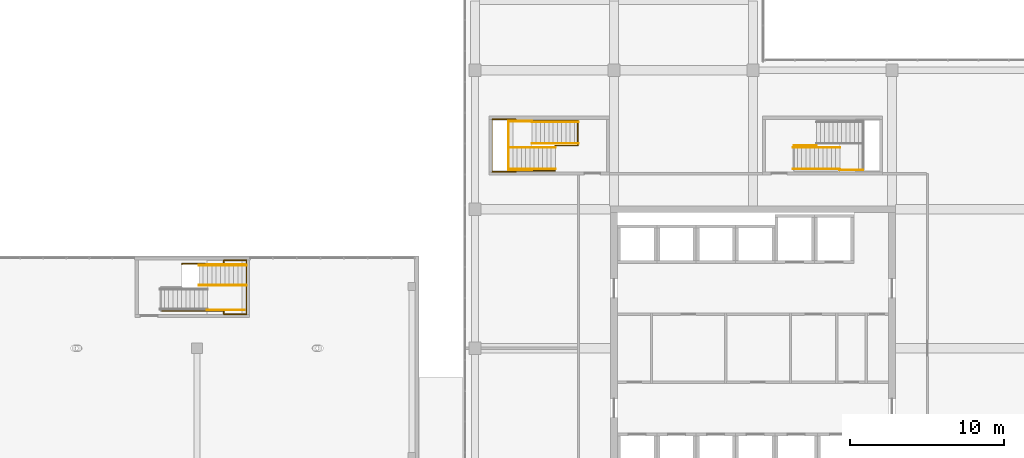
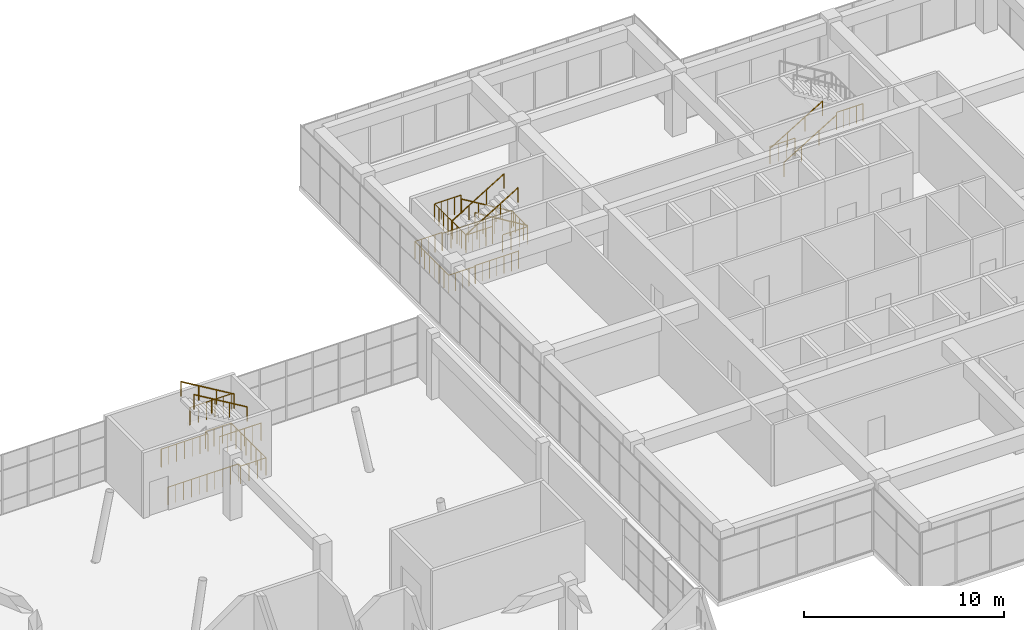
# One storey, part 65 of 66: 18 railings.
"""IFC4 building model written with IfcOpenShell, lengths in metres."""

from ifc_helpers import new_model, si_unit, direction, frame, origin, origin_2d, place, context, subcontext, project, spatial, circle, extrude, material, type_object, element, save


model = new_model("IFC4")

# Units and contexts
model_context = context("Model", 3, precision=1e-05, world=origin(), true_north=direction((0.0, 1.0)))
body_context = subcontext(model_context, "Body", "Model", "MODEL_VIEW")
ifc_project = project(units=[si_unit("LENGTHUNIT", "METRE"), si_unit("AREAUNIT", "SQUARE_METRE"), si_unit("VOLUMEUNIT", "CUBIC_METRE"), si_unit("PLANEANGLEUNIT", "RADIAN"), si_unit("MASSUNIT", "GRAM", prefix="KILO")], contexts=[model_context])

# Site, building, storey
site_placement = place(None, origin())
site = spatial("IfcSite", under=ifc_project, at=site_placement, CompositionType="ELEMENT")
building_placement = place(site_placement, origin())
building = spatial("IfcBuilding", under=site, at=building_placement, Name="Tuart Plaza Theatre", CompositionType="ELEMENT")
storey_placement = place(building_placement, frame((0.0, 0.0, 5.5)))
storey = spatial("IfcBuildingStorey", under=building, at=storey_placement, Name="L01", CompositionType="ELEMENT", Elevation=5.5)

# Railings
ifc_material_1 = material(Name="Steel Grade C350L0", Category="steel")
railing_type_1 = type_object("IfcRailingType", Name="RAILING Guard 1100", PredefinedType="GUARDRAIL", material=ifc_material_1)
railing_1_placement = place(storey_placement, frame((95.02001953125, 79.429931640625, 0.0)))
element("IfcRailing", 1, at=railing_1_placement, inside=storey, type_object=railing_type_1, Name="GR132", PredefinedType="GUARDRAIL", context=body_context, shape_type="SweptSolid", body=[
    extrude(circle(Radius=0.02490234375, at=origin_2d()), frame((0.0, 0.0, 1.0751953125), z_axis=(0.0, 1.0, 0.0), x_axis=(-1.0, 0.0, 0.0)), (0.0, 0.0, 1.0), 0.045166015625),
    extrude(circle(Radius=0.02490234375, at=origin_2d()), frame((0.0, 0.045166015625, 1.0751953125), z_axis=(1.0, 0.0, 0.0), x_axis=(0.0, 1.0, 0.0)), (0.0, 0.0, 1.0), 2.7099609375),
    extrude(circle(Radius=0.02490234375, at=origin_2d()), frame((2.7099609375, 0.045166015625, 1.0751953125), z_axis=(0.0, 1.0, 0.0), x_axis=(-1.0, 0.0, 0.0)), (0.0, 0.0, 1.0), 0.224853515625),
    extrude(circle(Radius=0.02490234375, at=origin_2d()), frame((2.7099609375, 0.27001953125, 1.0751953125), z_axis=(1.0, 0.0, 0.0), x_axis=(0.0, 1.0, 0.0)), (0.0, 0.0, 1.0), 1.469970703125),
    extrude(circle(Radius=0.02490234375, at=origin_2d()), frame((4.179931640625, 0.27001953125, 1.0751953125), z_axis=(0.0, -1.0, 0.0), x_axis=(1.0, 0.0, 0.0)), (0.0, 0.0, 1.0), 3.5),
    extrude(circle(Radius=0.02490234375, at=origin_2d()), frame((4.179931640625, -3.22998046875, 1.0751953125), z_axis=(-1.0, 0.0, 0.0), x_axis=(0.0, -1.0, 0.0)), (0.0, 0.0, 1.0), 1.469970703125),
    extrude(circle(Radius=0.02490234375, at=origin_2d()), frame((2.7099609375, -3.22998046875, 1.0751953125), z_axis=(0.0, 1.0, 0.0), x_axis=(-1.0, 0.0, 0.0)), (0.0, 0.0, 1.0), 0.22509765625),
    extrude(circle(Radius=0.02490234375, at=origin_2d()), frame((2.7099609375, -3.0048828125, 1.0751953125), z_axis=(-1.0, 0.0, 0.0), x_axis=(0.0, -1.0, 0.0)), (0.0, 0.0, 1.0), 4.070068359375),
    extrude(circle(Radius=0.02001953125, at=origin_2d()), origin(), (0.0, 0.0, 1.0), 1.050048828125),
    extrude(circle(Radius=0.02001953125, at=origin_2d()), frame((0.0, 0.045166015625, 0.0)), (0.0, 0.0, 1.0), 1.050048828125),
    extrude(circle(Radius=0.02001953125, at=origin_2d()), frame((0.45166015625, 0.045166015625, 0.0)), (0.0, 0.0, 1.0), 1.050048828125),
    extrude(circle(Radius=0.02001953125, at=origin_2d()), frame((0.9033203125, 0.045166015625, 0.0)), (0.0, 0.0, 1.0), 1.050048828125),
    extrude(circle(Radius=0.02001953125, at=origin_2d()), frame((1.35498046875, 0.045166015625, 0.0)), (0.0, 0.0, 1.0), 1.050048828125),
    extrude(circle(Radius=0.02001953125, at=origin_2d()), frame((1.806640625, 0.045166015625, 0.0)), (0.0, 0.0, 1.0), 1.050048828125),
    extrude(circle(Radius=0.02001953125, at=origin_2d()), frame((2.25830078125, 0.045166015625, 0.0)), (0.0, 0.0, 1.0), 1.050048828125),
    extrude(circle(Radius=0.02001953125, at=origin_2d()), frame((2.7099609375, 0.045166015625, 0.0)), (0.0, 0.0, 1.0), 1.050048828125),
    extrude(circle(Radius=0.02001953125, at=origin_2d()), frame((2.7099609375, 0.27001953125, 0.0)), (0.0, 0.0, 1.0), 1.050048828125),
    extrude(circle(Radius=0.02001953125, at=origin_2d()), frame((3.199951171875, 0.27001953125, 0.0)), (0.0, 0.0, 1.0), 1.050048828125),
    extrude(circle(Radius=0.02001953125, at=origin_2d()), frame((3.68994140625, 0.27001953125, 0.0)), (0.0, 0.0, 1.0), 1.050048828125),
    extrude(circle(Radius=0.02001953125, at=origin_2d()), frame((4.179931640625, 0.27001953125, 0.0)), (0.0, 0.0, 1.0), 1.050048828125),
    extrude(circle(Radius=0.02001953125, at=origin_2d()), frame((4.179931640625, -0.22998046875, 0.0)), (0.0, 0.0, 1.0), 1.050048828125),
    extrude(circle(Radius=0.02001953125, at=origin_2d()), frame((4.179931640625, -0.72998046875, 0.0)), (0.0, 0.0, 1.0), 1.050048828125),
    extrude(circle(Radius=0.02001953125, at=origin_2d()), frame((4.179931640625, -1.22998046875, 0.0)), (0.0, 0.0, 1.0), 1.050048828125),
    extrude(circle(Radius=0.02001953125, at=origin_2d()), frame((4.179931640625, -1.72998046875, 0.0)), (0.0, 0.0, 1.0), 1.050048828125),
    extrude(circle(Radius=0.02001953125, at=origin_2d()), frame((4.179931640625, -2.22998046875, 0.0)), (0.0, 0.0, 1.0), 1.050048828125),
    extrude(circle(Radius=0.02001953125, at=origin_2d()), frame((4.179931640625, -2.72998046875, 0.0)), (0.0, 0.0, 1.0), 1.050048828125),
    extrude(circle(Radius=0.02001953125, at=origin_2d()), frame((4.179931640625, -3.22998046875, 0.0)), (0.0, 0.0, 1.0), 1.050048828125),
    extrude(circle(Radius=0.02001953125, at=origin_2d()), frame((3.68994140625, -3.22998046875, 0.0)), (0.0, 0.0, 1.0), 1.050048828125),
    extrude(circle(Radius=0.02001953125, at=origin_2d()), frame((3.199951171875, -3.22998046875, 0.0)), (0.0, 0.0, 1.0), 1.050048828125),
    extrude(circle(Radius=0.02001953125, at=origin_2d()), frame((2.7099609375, -3.22998046875, 0.0)), (0.0, 0.0, 1.0), 1.050048828125),
    extrude(circle(Radius=0.02001953125, at=origin_2d()), frame((2.7099609375, -3.0048828125, 0.0)), (0.0, 0.0, 1.0), 1.050048828125),
    extrude(circle(Radius=0.02001953125, at=origin_2d()), frame((2.2578125, -3.0048828125, 0.0)), (0.0, 0.0, 1.0), 1.050048828125),
    extrude(circle(Radius=0.02001953125, at=origin_2d()), frame((1.805419921875, -3.0048828125, 0.0)), (0.0, 0.0, 1.0), 1.050048828125),
    extrude(circle(Radius=0.02001953125, at=origin_2d()), frame((1.353271484375, -3.0048828125, 0.0)), (0.0, 0.0, 1.0), 1.050048828125),
    extrude(circle(Radius=0.02001953125, at=origin_2d()), frame((0.901123046875, -3.0048828125, 0.0)), (0.0, 0.0, 1.0), 1.050048828125),
    extrude(circle(Radius=0.02001953125, at=origin_2d()), frame((0.44873046875, -3.0048828125, 0.0)), (0.0, 0.0, 1.0), 1.050048828125),
    extrude(circle(Radius=0.02001953125, at=origin_2d()), frame((-0.00341796875, -3.0048828125, 0.0)), (0.0, 0.0, 1.0), 1.050048828125),
    extrude(circle(Radius=0.02001953125, at=origin_2d()), frame((-0.45556640625, -3.0048828125, 0.0)), (0.0, 0.0, 1.0), 1.050048828125),
    extrude(circle(Radius=0.02001953125, at=origin_2d()), frame((-0.907958984375, -3.0048828125, 0.0)), (0.0, 0.0, 1.0), 1.050048828125),
    extrude(circle(Radius=0.02001953125, at=origin_2d()), frame((-1.360107421875, -3.0048828125, 0.0)), (0.0, 0.0, 1.0), 1.050048828125),
])
railing_2_placement = place(storey_placement, frame((96.659912109375, 76.47509765625, 2.0)))
element("IfcRailing", 2, at=railing_2_placement, inside=storey, type_object=railing_type_1, Name="GR137", PredefinedType="GUARDRAIL", context=body_context, shape_type="SweptSolid", body=[
    extrude(circle(Radius=0.02490234375, at=origin_2d()), frame((0.0, 0.0, 1.0751953125), z_axis=(1.0, 0.0, 0.0), x_axis=(0.0, 1.0, 0.0)), (0.0, 0.0, 1.0), 2.420166015625),
    extrude(circle(Radius=0.02001953125, at=origin_2d()), origin(), (0.0, 0.0, 1.0), 1.050048828125),
    extrude(circle(Radius=0.02001953125, at=origin_2d()), frame((0.484130859375, 0.0, 0.0)), (0.0, 0.0, 1.0), 1.050048828125),
    extrude(circle(Radius=0.02001953125, at=origin_2d()), frame((0.968017578125, 0.0, 0.0)), (0.0, 0.0, 1.0), 1.050048828125),
    extrude(circle(Radius=0.02001953125, at=origin_2d()), frame((1.4521484375, 0.0, 0.0)), (0.0, 0.0, 1.0), 1.050048828125),
    extrude(circle(Radius=0.02001953125, at=origin_2d()), frame((1.93603515625, 0.0, 0.0)), (0.0, 0.0, 1.0), 1.050048828125),
    extrude(circle(Radius=0.02001953125, at=origin_2d()), frame((2.420166015625, 0.0, 0.0)), (0.0, 0.0, 1.0), 1.050048828125),
])
railing_3_placement = place(storey_placement, frame((99.080078125, 79.425048828125, 2.0)))
element("IfcRailing", 3, at=railing_3_placement, inside=storey, type_object=railing_type_1, Name="GR138", PredefinedType="GUARDRAIL", context=body_context, shape_type="SweptSolid", body=[
    extrude(circle(Radius=0.02490234375, at=origin_2d()), frame((0.0, 0.0, 1.0751953125), z_axis=(-1.0, 0.0, 0.0), x_axis=(0.0, -1.0, 0.0)), (0.0, 0.0, 1.0), 2.420166015625),
    extrude(circle(Radius=0.02001953125, at=origin_2d()), origin(), (0.0, 0.0, 1.0), 1.050048828125),
    extrude(circle(Radius=0.02001953125, at=origin_2d()), frame((-0.484130859375, 0.0, 0.0)), (0.0, 0.0, 1.0), 1.050048828125),
    extrude(circle(Radius=0.02001953125, at=origin_2d()), frame((-0.968017578125, 0.0, 0.0)), (0.0, 0.0, 1.0), 1.050048828125),
    extrude(circle(Radius=0.02001953125, at=origin_2d()), frame((-1.4521484375, 0.0, 0.0)), (0.0, 0.0, 1.0), 1.050048828125),
    extrude(circle(Radius=0.02001953125, at=origin_2d()), frame((-1.93603515625, 0.0, 0.0)), (0.0, 0.0, 1.0), 1.050048828125),
    extrude(circle(Radius=0.02001953125, at=origin_2d()), frame((-2.420166015625, 0.0, 0.0)), (0.0, 0.0, 1.0), 1.050048828125),
])
railing_4_placement = place(storey_placement, frame((134.655029296875, 87.125, 0.0)))
element("IfcRailing", 4, at=railing_4_placement, inside=storey, type_object=railing_type_1, Name="GR279", PredefinedType="GUARDRAIL", context=body_context, shape_type="SweptSolid", body=[
    extrude(circle(Radius=0.02490234375, at=origin_2d()), frame((0.0, 0.0, 1.0751953125), z_axis=(1.0, 0.0, 0.0), x_axis=(0.0, 1.0, 0.0)), (0.0, 0.0, 1.0), 1.455078125),
    extrude(circle(Radius=0.02001953125, at=origin_2d()), origin(), (0.0, 0.0, 1.0), 1.050048828125),
    extrude(circle(Radius=0.02001953125, at=origin_2d()), frame((0.485107421875, 0.0, 0.0)), (0.0, 0.0, 1.0), 1.050048828125),
    extrude(circle(Radius=0.02001953125, at=origin_2d()), frame((0.969970703125, 0.0, 0.0)), (0.0, 0.0, 1.0), 1.050048828125),
    extrude(circle(Radius=0.02001953125, at=origin_2d()), frame((1.455078125, 0.0, 0.0)), (0.0, 0.0, 1.0), 1.050048828125),
])
railing_5_placement = place(storey_placement, frame((137.60009765625, 85.550048828125, 2.0)))
element("IfcRailing", 5, at=railing_5_placement, inside=storey, type_object=railing_type_1, Name="GR285", PredefinedType="GUARDRAIL", context=body_context, shape_type="SweptSolid", body=[
    extrude(circle(Radius=0.02490234375, at=origin_2d()), frame((0.0, 0.0, 1.0751953125), z_axis=(1.0, 0.0, 0.0), x_axis=(0.0, 1.0, 0.0)), (0.0, 0.0, 1.0), 1.52978515625),
    extrude(circle(Radius=0.02001953125, at=origin_2d()), origin(), (0.0, 0.0, 1.0), 1.050048828125),
    extrude(circle(Radius=0.02001953125, at=origin_2d()), frame((0.38232421875, 0.0, 0.0)), (0.0, 0.0, 1.0), 1.050048828125),
    extrude(circle(Radius=0.02001953125, at=origin_2d()), frame((0.764892578125, 0.0, 0.0)), (0.0, 0.0, 1.0), 1.050048828125),
    extrude(circle(Radius=0.02001953125, at=origin_2d()), frame((1.1474609375, 0.0, 0.0)), (0.0, 0.0, 1.0), 1.050048828125),
    extrude(circle(Radius=0.02001953125, at=origin_2d()), frame((1.52978515625, 0.0, 0.0)), (0.0, 0.0, 1.0), 1.050048828125),
])
railing_6_placement = place(storey_placement, frame((120.64501953125, 88.75, 0.0)))
element("IfcRailing", 6, at=railing_6_placement, inside=storey, type_object=railing_type_1, Name="GR358", PredefinedType="GUARDRAIL", context=body_context, shape_type="SweptSolid", body=[
    extrude(circle(Radius=0.02490234375, at=origin_2d()), frame((0.0, 0.0, 1.0751953125), z_axis=(0.0, -1.0, 0.0), x_axis=(1.0, 0.0, 0.0)), (0.0, 0.0, 1.0), 1.625),
    extrude(circle(Radius=0.02490234375, at=origin_2d()), frame((0.0, -1.625, 1.0751953125), z_axis=(-1.0, 0.0, 0.0), x_axis=(0.0, -1.0, 0.0)), (0.0, 0.0, 1.0), 1.455078125),
    extrude(circle(Radius=0.02001953125, at=origin_2d()), origin(), (0.0, 0.0, 1.0), 1.050048828125),
    extrude(circle(Radius=0.02001953125, at=origin_2d()), frame((0.0, -0.40625, 0.0)), (0.0, 0.0, 1.0), 1.050048828125),
    extrude(circle(Radius=0.02001953125, at=origin_2d()), frame((0.0, -0.8125, 0.0)), (0.0, 0.0, 1.0), 1.050048828125),
    extrude(circle(Radius=0.02001953125, at=origin_2d()), frame((0.0, -1.21875, 0.0)), (0.0, 0.0, 1.0), 1.050048828125),
    extrude(circle(Radius=0.02001953125, at=origin_2d()), frame((0.0, -1.625, 0.0)), (0.0, 0.0, 1.0), 1.050048828125),
    extrude(circle(Radius=0.02001953125, at=origin_2d()), frame((-0.485107421875, -1.625, 0.0)), (0.0, 0.0, 1.0), 1.050048828125),
    extrude(circle(Radius=0.02001953125, at=origin_2d()), frame((-0.969970703125, -1.625, 0.0)), (0.0, 0.0, 1.0), 1.050048828125),
    extrude(circle(Radius=0.02001953125, at=origin_2d()), frame((-1.455078125, -1.625, 0.0)), (0.0, 0.0, 1.0), 1.050048828125),
])
railing_7_placement = place(storey_placement, frame((119.18505859375, 85.544921875, 0.0)))
element("IfcRailing", 7, at=railing_7_placement, inside=storey, type_object=railing_type_1, Name="GR359", PredefinedType="GUARDRAIL", context=body_context, shape_type="SweptSolid", body=[
    extrude(circle(Radius=0.02490234375, at=origin_2d()), frame((0.0, 0.0, 1.0751953125), z_axis=(0.0, -1.0, 0.0), x_axis=(1.0, 0.0, 0.0)), (0.0, 0.0, 1.0), 0.044921875),
    extrude(circle(Radius=0.02490234375, at=origin_2d()), frame((0.0, -0.044921875, 1.0751953125), z_axis=(-1.0, 0.0, 0.0), x_axis=(0.0, -1.0, 0.0)), (0.0, 0.0, 1.0), 2.53515625),
    extrude(circle(Radius=0.02490234375, at=origin_2d()), frame((-2.53515625, -0.044921875, 1.0751953125), z_axis=(0.0, -1.0, 0.0), x_axis=(1.0, 0.0, 0.0)), (0.0, 0.0, 1.0), 0.074951171875),
    extrude(circle(Radius=0.02490234375, at=origin_2d()), frame((-2.53515625, -0.119873046875, 1.0751953125), z_axis=(-1.0, 0.0, 0.0), x_axis=(0.0, -1.0, 0.0)), (0.0, 0.0, 1.0), 1.5498046875),
    extrude(circle(Radius=0.02490234375, at=origin_2d()), frame((-4.0849609375, -0.119873046875, 1.0751953125), z_axis=(0.0, 1.0, 0.0), x_axis=(-1.0, 0.0, 0.0)), (0.0, 0.0, 1.0), 3.39990234375),
    extrude(circle(Radius=0.02490234375, at=origin_2d()), frame((-4.0849609375, 3.280029296875, 1.0751953125), z_axis=(1.0, 0.0, 0.0), x_axis=(0.0, 1.0, 0.0)), (0.0, 0.0, 1.0), 1.5498046875),
    extrude(circle(Radius=0.02490234375, at=origin_2d()), frame((-2.53515625, 3.280029296875, 1.0751953125), z_axis=(0.0, -1.0, 0.0), x_axis=(1.0, 0.0, 0.0)), (0.0, 0.0, 1.0), 0.074951171875),
    extrude(circle(Radius=0.02490234375, at=origin_2d()), frame((-2.53515625, 3.205078125, 1.0751953125), z_axis=(1.0, 0.0, 0.0), x_axis=(0.0, 1.0, 0.0)), (0.0, 0.0, 1.0), 3.9951171875),
    extrude(circle(Radius=0.02001953125, at=origin_2d()), origin(), (0.0, 0.0, 1.0), 1.050048828125),
    extrude(circle(Radius=0.02001953125, at=origin_2d()), frame((0.0, -0.044921875, 0.0)), (0.0, 0.0, 1.0), 1.050048828125),
    extrude(circle(Radius=0.02001953125, at=origin_2d()), frame((-0.422607421875, -0.044921875, 0.0)), (0.0, 0.0, 1.0), 1.050048828125),
    extrude(circle(Radius=0.02001953125, at=origin_2d()), frame((-0.844970703125, -0.044921875, 0.0)), (0.0, 0.0, 1.0), 1.050048828125),
    extrude(circle(Radius=0.02001953125, at=origin_2d()), frame((-1.267578125, -0.044921875, 0.0)), (0.0, 0.0, 1.0), 1.050048828125),
    extrude(circle(Radius=0.02001953125, at=origin_2d()), frame((-1.690185546875, -0.044921875, 0.0)), (0.0, 0.0, 1.0), 1.050048828125),
    extrude(circle(Radius=0.02001953125, at=origin_2d()), frame((-2.112548828125, -0.044921875, 0.0)), (0.0, 0.0, 1.0), 1.050048828125),
    extrude(circle(Radius=0.02001953125, at=origin_2d()), frame((-2.53515625, -0.044921875, 0.0)), (0.0, 0.0, 1.0), 1.050048828125),
    extrude(circle(Radius=0.02001953125, at=origin_2d()), frame((-2.53515625, -0.119873046875, 0.0)), (0.0, 0.0, 1.0), 1.050048828125),
    extrude(circle(Radius=0.02001953125, at=origin_2d()), frame((-2.922607421875, -0.119873046875, 0.0)), (0.0, 0.0, 1.0), 1.050048828125),
    extrude(circle(Radius=0.02001953125, at=origin_2d()), frame((-3.31005859375, -0.119873046875, 0.0)), (0.0, 0.0, 1.0), 1.050048828125),
    extrude(circle(Radius=0.02001953125, at=origin_2d()), frame((-3.697509765625, -0.119873046875, 0.0)), (0.0, 0.0, 1.0), 1.050048828125),
    extrude(circle(Radius=0.02001953125, at=origin_2d()), frame((-4.0849609375, -0.119873046875, 0.0)), (0.0, 0.0, 1.0), 1.050048828125),
    extrude(circle(Radius=0.02001953125, at=origin_2d()), frame((-4.0849609375, 0.36572265625, 0.0)), (0.0, 0.0, 1.0), 1.050048828125),
    extrude(circle(Radius=0.02001953125, at=origin_2d()), frame((-4.0849609375, 0.8515625, 0.0)), (0.0, 0.0, 1.0), 1.050048828125),
    extrude(circle(Radius=0.02001953125, at=origin_2d()), frame((-4.0849609375, 1.337158203125, 0.0)), (0.0, 0.0, 1.0), 1.050048828125),
    extrude(circle(Radius=0.02001953125, at=origin_2d()), frame((-4.0849609375, 1.822998046875, 0.0)), (0.0, 0.0, 1.0), 1.050048828125),
    extrude(circle(Radius=0.02001953125, at=origin_2d()), frame((-4.0849609375, 2.30859375, 0.0)), (0.0, 0.0, 1.0), 1.050048828125),
    extrude(circle(Radius=0.02001953125, at=origin_2d()), frame((-4.0849609375, 2.79443359375, 0.0)), (0.0, 0.0, 1.0), 1.050048828125),
    extrude(circle(Radius=0.02001953125, at=origin_2d()), frame((-4.0849609375, 3.280029296875, 0.0)), (0.0, 0.0, 1.0), 1.050048828125),
    extrude(circle(Radius=0.02001953125, at=origin_2d()), frame((-3.697509765625, 3.280029296875, 0.0)), (0.0, 0.0, 1.0), 1.050048828125),
    extrude(circle(Radius=0.02001953125, at=origin_2d()), frame((-3.31005859375, 3.280029296875, 0.0)), (0.0, 0.0, 1.0), 1.050048828125),
    extrude(circle(Radius=0.02001953125, at=origin_2d()), frame((-2.922607421875, 3.280029296875, 0.0)), (0.0, 0.0, 1.0), 1.050048828125),
    extrude(circle(Radius=0.02001953125, at=origin_2d()), frame((-2.53515625, 3.280029296875, 0.0)), (0.0, 0.0, 1.0), 1.050048828125),
    extrude(circle(Radius=0.02001953125, at=origin_2d()), frame((-2.53515625, 3.205078125, 0.0)), (0.0, 0.0, 1.0), 1.050048828125),
    extrude(circle(Radius=0.02001953125, at=origin_2d()), frame((-2.03564453125, 3.205078125, 0.0)), (0.0, 0.0, 1.0), 1.050048828125),
    extrude(circle(Radius=0.02001953125, at=origin_2d()), frame((-1.536376953125, 3.205078125, 0.0)), (0.0, 0.0, 1.0), 1.050048828125),
    extrude(circle(Radius=0.02001953125, at=origin_2d()), frame((-1.037109375, 3.205078125, 0.0)), (0.0, 0.0, 1.0), 1.050048828125),
    extrude(circle(Radius=0.02001953125, at=origin_2d()), frame((-0.53759765625, 3.205078125, 0.0)), (0.0, 0.0, 1.0), 1.050048828125),
    extrude(circle(Radius=0.02001953125, at=origin_2d()), frame((-0.0380859375, 3.205078125, 0.0)), (0.0, 0.0, 1.0), 1.050048828125),
    extrude(circle(Radius=0.02001953125, at=origin_2d()), frame((0.461181640625, 3.205078125, 0.0)), (0.0, 0.0, 1.0), 1.050048828125),
    extrude(circle(Radius=0.02001953125, at=origin_2d()), frame((0.96044921875, 3.205078125, 0.0)), (0.0, 0.0, 1.0), 1.050048828125),
    extrude(circle(Radius=0.02001953125, at=origin_2d()), frame((1.4599609375, 3.205078125, 0.0)), (0.0, 0.0, 1.0), 1.050048828125),
])
railing_8_placement = place(storey_placement, frame((117.699951171875, 88.699951171875, 2.0)))
element("IfcRailing", 8, at=railing_8_placement, inside=storey, type_object=railing_type_1, Name="GR364", PredefinedType="GUARDRAIL", context=body_context, shape_type="SweptSolid", body=[
    extrude(circle(Radius=0.02490234375, at=origin_2d()), frame((0.0, 0.0, 1.0751953125), z_axis=(-1.0, 0.0, 0.0), x_axis=(0.0, -1.0, 0.0)), (0.0, 0.0, 1.0), 1.530029296875),
    extrude(circle(Radius=0.02001953125, at=origin_2d()), origin(), (0.0, 0.0, 1.0), 1.050048828125),
    extrude(circle(Radius=0.02001953125, at=origin_2d()), frame((-0.382568359375, 0.0, 0.0)), (0.0, 0.0, 1.0), 1.050048828125),
    extrude(circle(Radius=0.02001953125, at=origin_2d()), frame((-0.76513671875, 0.0, 0.0)), (0.0, 0.0, 1.0), 1.050048828125),
    extrude(circle(Radius=0.02001953125, at=origin_2d()), frame((-1.1474609375, 0.0, 0.0)), (0.0, 0.0, 1.0), 1.050048828125),
    extrude(circle(Radius=0.02001953125, at=origin_2d()), frame((-1.530029296875, 0.0, 0.0)), (0.0, 0.0, 1.0), 1.050048828125),
])
railing_9_placement = place(storey_placement, frame((116.169921875, 88.699951171875, 2.0)))
element("IfcRailing", 9, at=railing_9_placement, inside=storey, type_object=railing_type_1, Name="GR365", PredefinedType="GUARDRAIL", context=body_context, shape_type="SweptSolid", body=[
    extrude(circle(Radius=0.02490234375, at=origin_2d()), frame((0.0, 0.0, 1.0751953125), z_axis=(0.0, -1.0, 0.0), x_axis=(1.0, 0.0, 0.0)), (0.0, 0.0, 1.0), 3.14990234375),
    extrude(circle(Radius=0.02001953125, at=origin_2d()), origin(), (0.0, 0.0, 1.0), 1.050048828125),
    extrude(circle(Radius=0.02001953125, at=origin_2d()), frame((0.0, -0.449951171875, 0.0)), (0.0, 0.0, 1.0), 1.050048828125),
    extrude(circle(Radius=0.02001953125, at=origin_2d()), frame((0.0, -0.89990234375, 0.0)), (0.0, 0.0, 1.0), 1.050048828125),
    extrude(circle(Radius=0.02001953125, at=origin_2d()), frame((0.0, -1.349853515625, 0.0)), (0.0, 0.0, 1.0), 1.050048828125),
    extrude(circle(Radius=0.02001953125, at=origin_2d()), frame((0.0, -1.800048828125, 0.0)), (0.0, 0.0, 1.0), 1.050048828125),
    extrude(circle(Radius=0.02001953125, at=origin_2d()), frame((0.0, -2.25, 0.0)), (0.0, 0.0, 1.0), 1.050048828125),
    extrude(circle(Radius=0.02001953125, at=origin_2d()), frame((0.0, -2.699951171875, 0.0)), (0.0, 0.0, 1.0), 1.050048828125),
    extrude(circle(Radius=0.02001953125, at=origin_2d()), frame((0.0, -3.14990234375, 0.0)), (0.0, 0.0, 1.0), 1.050048828125),
])
railing_10_placement = place(storey_placement, frame((116.169921875, 85.550048828125, 2.0)))
element("IfcRailing", 10, at=railing_10_placement, inside=storey, type_object=railing_type_1, Name="GR366", PredefinedType="GUARDRAIL", context=body_context, shape_type="SweptSolid", body=[
    extrude(circle(Radius=0.02490234375, at=origin_2d()), frame((0.0, 0.0, 1.0751953125), z_axis=(1.0, 0.0, 0.0), x_axis=(0.0, 1.0, 0.0)), (0.0, 0.0, 1.0), 1.530029296875),
    extrude(circle(Radius=0.02001953125, at=origin_2d()), origin(), (0.0, 0.0, 1.0), 1.050048828125),
    extrude(circle(Radius=0.02001953125, at=origin_2d()), frame((0.382568359375, 0.0, 0.0)), (0.0, 0.0, 1.0), 1.050048828125),
    extrude(circle(Radius=0.02001953125, at=origin_2d()), frame((0.76513671875, 0.0, 0.0)), (0.0, 0.0, 1.0), 1.050048828125),
    extrude(circle(Radius=0.02001953125, at=origin_2d()), frame((1.1474609375, 0.0, 0.0)), (0.0, 0.0, 1.0), 1.050048828125),
    extrude(circle(Radius=0.02001953125, at=origin_2d()), frame((1.530029296875, 0.0, 0.0)), (0.0, 0.0, 1.0), 1.050048828125),
])
ifc_material_2 = material(Name="Steel Grade C350L0", Category="steel")
railing_type_2 = type_object("IfcRailingType", Name="RAILING Handrail 900", PredefinedType="HANDRAIL", material=ifc_material_2)
for number, where, name in (
    (11, (99.199951171875, 78.074951171875, 2.166748046875), "HR73"),
    (12, (99.199951171875, 79.375, 2.166748046875), "HR74"),
):
    element("IfcRailing", number, at=place(storey_placement, frame(where)), inside=storey, type_object=railing_type_2, Name=name, PredefinedType="HANDRAIL", context=body_context, shape_type="SweptSolid", body=[
        extrude(circle(Radius=0.0224609375, at=origin_2d()), frame((0.0, 0.0, 0.87744140625), z_axis=(-0.859290745958, 0.0, 0.51148745235), x_axis=(0.0, -1.0, 0.0)), (0.0, 0.0, 1.0), 3.584228515625),
        extrude(circle(Radius=0.01513671875, at=origin_2d()), origin(), (0.0, 0.0, 1.0), 0.85498046875),
        extrude(circle(Radius=0.01513671875, at=origin_2d()), frame((-1.026611328125, 0.0, 0.611083984375)), (0.0, 0.0, 1.0), 0.85498046875),
        extrude(circle(Radius=0.01513671875, at=origin_2d()), frame((-2.05322265625, 0.0, 1.22216796875)), (0.0, 0.0, 1.0), 0.85498046875),
        extrude(circle(Radius=0.01513671875, at=origin_2d()), frame((-3.079833984375, 0.0, 1.833251953125)), (0.0, 0.0, 1.0), 0.85498046875),
    ])
for number, where, name in (
    (13, (134.594970703125, 87.0, 0.166748046875), "HR183"),
    (14, (134.594970703125, 85.60009765625, 0.166748046875), "HR184"),
):
    element("IfcRailing", number, at=place(storey_placement, frame(where)), inside=storey, type_object=railing_type_2, Name=name, PredefinedType="HANDRAIL", context=body_context, shape_type="SweptSolid", body=[
        extrude(circle(Radius=0.0224609375, at=origin_2d()), frame((0.0, 0.0, 0.87744140625), z_axis=(0.855219153138, 0.0, 0.518266533848), x_axis=(0.0, 1.0, 0.0)), (0.0, 0.0, 1.0), 3.537353515625),
        extrude(circle(Radius=0.01513671875, at=origin_2d()), origin(), (0.0, 0.0, 1.0), 0.85498046875),
        extrude(circle(Radius=0.01513671875, at=origin_2d()), frame((1.00830078125, 0.0, 0.611083984375)), (0.0, 0.0, 1.0), 0.85498046875),
        extrude(circle(Radius=0.01513671875, at=origin_2d()), frame((2.016845703125, 0.0, 1.22216796875)), (0.0, 0.0, 1.0), 0.85498046875),
        extrude(circle(Radius=0.01513671875, at=origin_2d()), frame((3.025146484375, 0.0, 1.833251953125)), (0.0, 0.0, 1.0), 0.85498046875),
    ])
for number, where, name in (
    (15, (120.705078125, 87.25, 0.166748046875), "HR247"),
    (16, (120.705078125, 88.64990234375, 0.166748046875), "HR248"),
):
    element("IfcRailing", number, at=place(storey_placement, frame(where)), inside=storey, type_object=railing_type_2, Name=name, PredefinedType="HANDRAIL", context=body_context, shape_type="SweptSolid", body=[
        extrude(circle(Radius=0.0224609375, at=origin_2d()), frame((0.0, 0.0, 0.87744140625), z_axis=(-0.855219153138, 0.0, 0.518266533848), x_axis=(0.0, -1.0, 0.0)), (0.0, 0.0, 1.0), 3.537353515625),
        extrude(circle(Radius=0.01513671875, at=origin_2d()), origin(), (0.0, 0.0, 1.0), 0.85498046875),
        extrude(circle(Radius=0.01513671875, at=origin_2d()), frame((-1.00830078125, 0.0, 0.611083984375)), (0.0, 0.0, 1.0), 0.85498046875),
        extrude(circle(Radius=0.01513671875, at=origin_2d()), frame((-2.016845703125, 0.0, 1.22216796875)), (0.0, 0.0, 1.0), 0.85498046875),
        extrude(circle(Radius=0.01513671875, at=origin_2d()), frame((-3.025146484375, 0.0, 1.833251953125)), (0.0, 0.0, 1.0), 0.85498046875),
    ])
for number, where, name in (
    (17, (116.179931640625, 87.0, 2.166748046875), "HR249"),
    (18, (116.179931640625, 85.60009765625, 2.166748046875), "HR250"),
):
    element("IfcRailing", number, at=place(storey_placement, frame(where)), inside=storey, type_object=railing_type_2, Name=name, PredefinedType="HANDRAIL", context=body_context, shape_type="SweptSolid", body=[
        extrude(circle(Radius=0.0224609375, at=origin_2d()), frame((0.0, 0.0, 0.87744140625), z_axis=(0.855219153138, 0.0, 0.518266533848), x_axis=(0.0, 1.0, 0.0)), (0.0, 0.0, 1.0), 3.537353515625),
        extrude(circle(Radius=0.01513671875, at=origin_2d()), origin(), (0.0, 0.0, 1.0), 0.85498046875),
        extrude(circle(Radius=0.01513671875, at=origin_2d()), frame((1.00830078125, 0.0, 0.611083984375)), (0.0, 0.0, 1.0), 0.85498046875),
        extrude(circle(Radius=0.01513671875, at=origin_2d()), frame((2.016845703125, 0.0, 1.22216796875)), (0.0, 0.0, 1.0), 0.85498046875),
        extrude(circle(Radius=0.01513671875, at=origin_2d()), frame((3.025146484375, 0.0, 1.833251953125)), (0.0, 0.0, 1.0), 0.85498046875),
    ])

save(model, "model.ifc")
